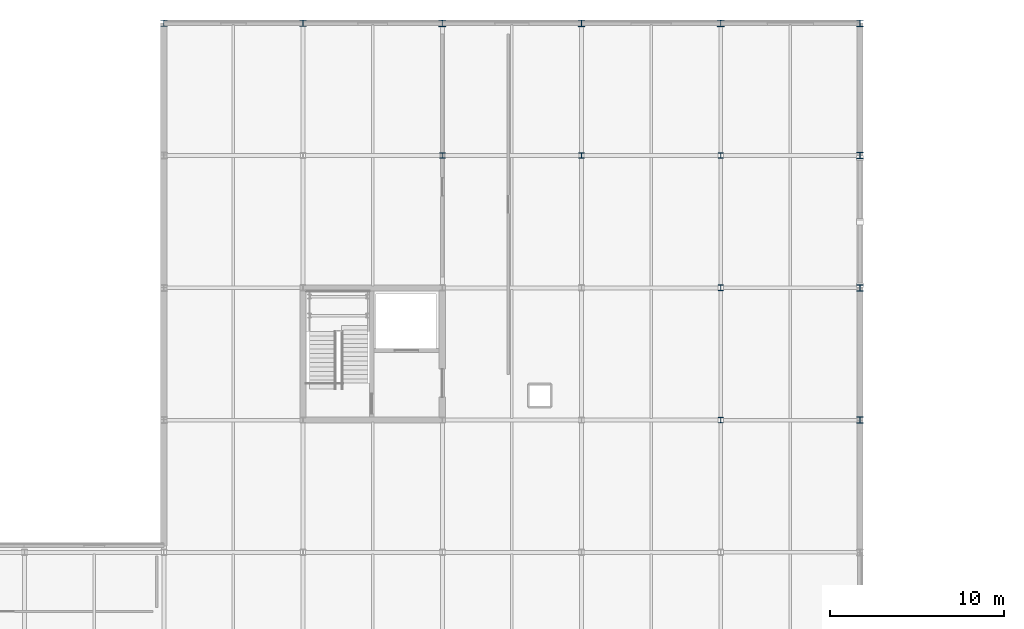
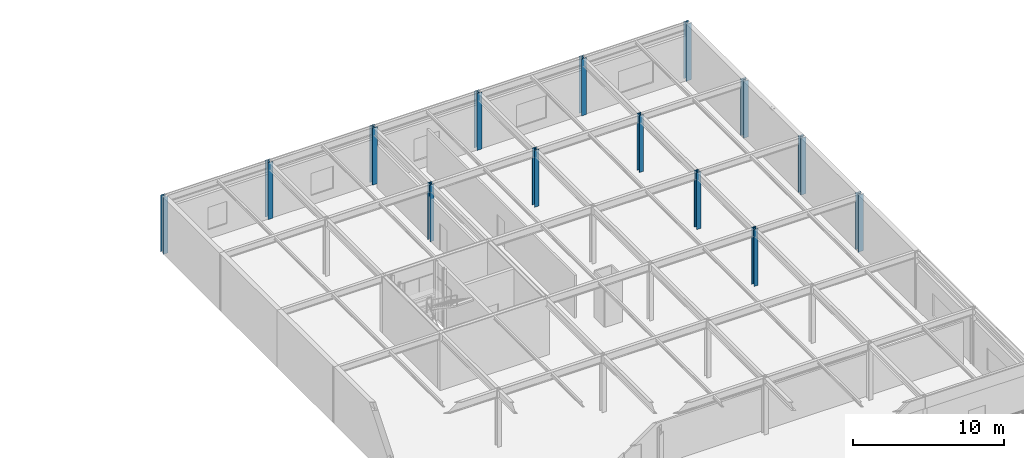
# One storey, part 13 of 100: 14 columns.
"""IFC4 building model written with IfcOpenShell, lengths in metres."""

from ifc_helpers import new_model, si_unit, direction, frame, origin, origin_2d, place, context, subcontext, project, spatial, i_section, extrude, material, material_profile, profile_set, type_object, element, save


model = new_model("IFC4")

# Units and contexts
model_context = context("Model", 3, precision=1e-05, world=origin(), true_north=direction((0.0, 1.0)))
body_context = subcontext(model_context, "Body", "Model", "MODEL_VIEW")
ifc_project = project(units=[si_unit("LENGTHUNIT", "METRE"), si_unit("AREAUNIT", "SQUARE_METRE"), si_unit("VOLUMEUNIT", "CUBIC_METRE"), si_unit("PLANEANGLEUNIT", "RADIAN"), si_unit("MASSUNIT", "GRAM", prefix="KILO")], contexts=[model_context])

# Site, building, storey
site_placement = place(None, origin())
site = spatial("IfcSite", under=ifc_project, at=site_placement, CompositionType="ELEMENT")
building_placement = place(site_placement, origin())
building = spatial("IfcBuilding", under=site, at=building_placement, Name="Zulena Civic Courthouse", CompositionType="ELEMENT")
storey_placement = place(building_placement, frame((0.0, 0.0, 20.39990234375)))
storey = spatial("IfcBuildingStorey", under=building, at=storey_placement, Name="L04", CompositionType="ELEMENT", Elevation=20.39990234375)

# Columns
ifc_material = material(Name="Steel ASTM A992 Grade 50", Category="steel")
ifc_material_profile_1 = material_profile(ifc_material, i_section(OverallWidth=0.31298828125, OverallDepth=0.3330078125, WebThickness=0.01806640625, FlangeThickness=0.0283203125, FilletRadius=0.01513671875, at=origin_2d()), Name="W12X120")
ifc_profile_set_1 = profile_set([ifc_material_profile_1], Name="Steel ASTM A992 Grade 50")
column_type_1 = type_object("IfcColumnType", Name="Col_W12X120", PredefinedType="COLUMN", material=ifc_profile_set_1)
for number, where, z_axis, x_axis, name in (
    (1, (84.0, 83.60009765625, 0.0), (0.0, 0.0, 1.0), (1.0, 0.0, 0.0), "col:V5:L04:84.0:83.6"),
    (2, (92.0, 83.60009765625, 0.0), (0.0, 0.0, 1.0), (1.0, 0.0, 0.0), "col:V5:L04:92.0:83.6"),
    (3, (100.0, 68.39990234375, 0.0), (0.0, 0.0, 1.0), (1.0, 0.0, 0.0), "col:V5:L04:100.0:68.4"),
    (4, (100.0, 76.0, 0.0), (0.0, 0.0, 1.0), (1.0, 0.0, 0.0), "col:V5:L04:100.0:76.0"),
    (5, (100.0, 83.60009765625, 0.0), (0.0, 0.0, 1.0), (1.0, 0.0, 0.0), "col:V5:L04:100.0:83.6"),
):
    element("IfcColumn", number, at=place(storey_placement, frame(where, z_axis=z_axis, x_axis=x_axis)), inside=storey, type_object=column_type_1, Name=name, PredefinedType="COLUMN", context=body_context, shape_type="SweptSolid", body=[
        extrude(i_section(OverallWidth=0.31298828125, OverallDepth=0.3330078125, WebThickness=0.01806640625, FlangeThickness=0.0283203125, FilletRadius=0.01513671875, at=origin_2d()), origin(), (0.0, 0.0, 1.0), 4.59521484375),
    ])
ifc_material_profile_2 = material_profile(ifc_material, i_section(OverallWidth=0.373046875, OverallDepth=0.367919921875, WebThickness=0.014892578125, FlangeThickness=0.02392578125, FilletRadius=0.01513671875, at=origin_2d()), Name="W14X120")
ifc_profile_set_2 = profile_set([ifc_material_profile_2], Name="Steel ASTM A992 Grade 50")
column_type_2 = type_object("IfcColumnType", Name="Col_W14X120", PredefinedType="COLUMN", material=ifc_profile_set_2)
for number, where, z_axis, x_axis, name in (
    (6, (68.0, 91.199951171875, 0.0), (0.0, 0.0, 1.0), (1.0, 0.0, 0.0), "col:V5:L04:68.0:91.2"),
    (7, (76.0, 91.199951171875, 0.0), (0.0, 0.0, 1.0), (1.0, 0.0, 0.0), "col:V5:L04:76.0:91.2"),
):
    element("IfcColumn", number, at=place(storey_placement, frame(where, z_axis=z_axis, x_axis=x_axis)), inside=storey, type_object=column_type_2, Name=name, PredefinedType="COLUMN", context=body_context, shape_type="SweptSolid", body=[
        extrude(i_section(OverallWidth=0.373046875, OverallDepth=0.367919921875, WebThickness=0.014892578125, FlangeThickness=0.02392578125, FilletRadius=0.01513671875, at=origin_2d()), origin(), (0.0, 0.0, 1.0), 4.59521484375),
    ])
ifc_material_profile_3 = material_profile(ifc_material, i_section(OverallWidth=0.39404296875, OverallDepth=0.3759765625, WebThickness=0.017333984375, FlangeThickness=0.027587890625, FilletRadius=0.01513671875, at=origin_2d()), Name="W14X145")
ifc_profile_set_3 = profile_set([ifc_material_profile_3], Name="Steel ASTM A992 Grade 50")
column_type_3 = type_object("IfcColumnType", Name="Col_W14X145", PredefinedType="COLUMN", material=ifc_profile_set_3)
for number, where, z_axis, x_axis, name in (
    (8, (84.0, 91.199951171875, 0.0), (0.0, 0.0, 1.0), (1.0, 0.0, 0.0), "col:V5:L04:84.0:91.2"),
    (9, (92.0, 91.199951171875, 0.0), (0.0, 0.0, 1.0), (1.0, 0.0, 0.0), "col:V5:L04:92.0:91.2"),
    (10, (100.0, 91.199951171875, 0.0), (0.0, 0.0, 1.0), (1.0, 0.0, 0.0), "col:V5:L04:100.0:91.2"),
    (11, (108.0, 68.39990234375, 0.0), (0.0, 0.0, 1.0), (1.0, 0.0, 0.0), "col:V5:L04:108.0:68.4"),
    (12, (108.0, 76.0, 0.0), (0.0, 0.0, 1.0), (1.0, 0.0, 0.0), "col:V5:L04:108.0:76.0"),
    (13, (108.0, 83.60009765625, 0.0), (0.0, 0.0, 1.0), (1.0, 0.0, 0.0), "col:V5:L04:108.0:83.6"),
    (14, (108.0, 91.199951171875, 0.0), (0.0, 0.0, 1.0), (1.0, 0.0, 0.0), "col:V5:L04:108.0:91.2"),
):
    element("IfcColumn", number, at=place(storey_placement, frame(where, z_axis=z_axis, x_axis=x_axis)), inside=storey, type_object=column_type_3, Name=name, PredefinedType="COLUMN", context=body_context, shape_type="SweptSolid", body=[
        extrude(i_section(OverallWidth=0.39404296875, OverallDepth=0.3759765625, WebThickness=0.017333984375, FlangeThickness=0.027587890625, FilletRadius=0.01513671875, at=origin_2d()), origin(), (0.0, 0.0, 1.0), 4.59521484375),
    ])

save(model, "model.ifc")
